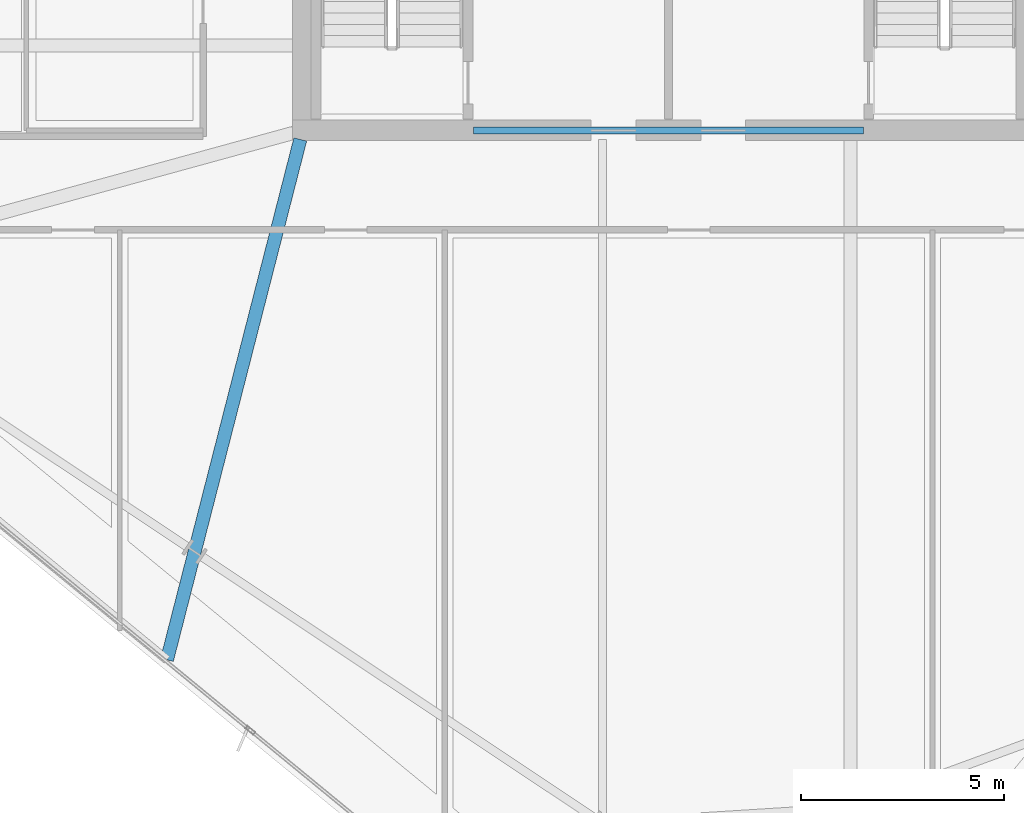
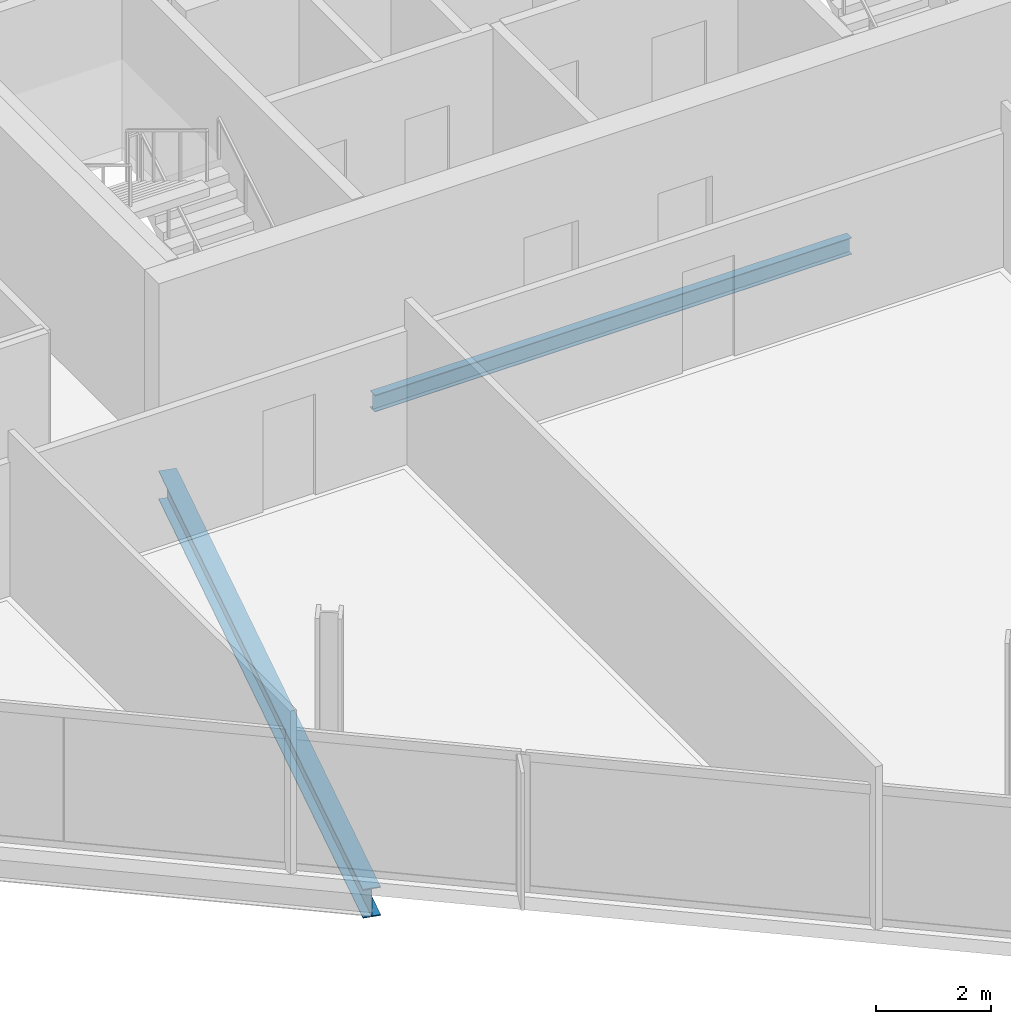
# One storey, part 7 of 28: 2 beams.
"""IFC4 building model written with IfcOpenShell, lengths in metres."""

from ifc_helpers import new_model, si_unit, direction, frame, origin, origin_2d, place, context, subcontext, project, spatial, i_section, extrude, material, material_profile, profile_set, type_object, element, save


model = new_model("IFC4")

# Units and contexts
model_context = context("Model", 3, precision=1e-05, world=origin(), true_north=direction((0.0, 1.0)))
body_context = subcontext(model_context, "Body", "Model", "MODEL_VIEW")
ifc_project = project(units=[si_unit("LENGTHUNIT", "METRE"), si_unit("AREAUNIT", "SQUARE_METRE"), si_unit("VOLUMEUNIT", "CUBIC_METRE"), si_unit("PLANEANGLEUNIT", "RADIAN"), si_unit("MASSUNIT", "GRAM", prefix="KILO")], contexts=[model_context])

# Site, building, storey
site_placement = place(None, origin())
site = spatial("IfcSite", under=ifc_project, at=site_placement, CompositionType="ELEMENT")
building_placement = place(site_placement, origin())
building = spatial("IfcBuilding", under=site, at=building_placement, Name="Haldenkirk Collegiate Tower", CompositionType="ELEMENT")
storey_placement = place(building_placement, frame((0.0, 0.0, 198.449951171875)))
storey = spatial("IfcBuildingStorey", under=building, at=storey_placement, Name="L49", CompositionType="ELEMENT", Elevation=198.449951171875)

# Beams
ifc_material = material(Name="Steel ASTM A992 Grade 50", Category="steel")
ifc_material_profile_1 = material_profile(ifc_material, i_section(OverallWidth=0.324951171875, OverallDepth=0.615966796875, WebThickness=0.013916015625, FlangeThickness=0.021484375, at=origin_2d()), Name="W24X117")
ifc_profile_set_1 = profile_set([ifc_material_profile_1], Name="Steel ASTM A992 Grade 50")
beam_type_1 = type_object("IfcBeamType", Name="BM-GIRDER-W24X117", PredefinedType="BEAM", material=ifc_profile_set_1)
beam_1_placement = place(storey_placement, frame((23.662109375, 4.972412109375, -0.587890625), z_axis=(0.248198486317, 0.968709198568, 0.0), x_axis=(-0.968709198568, 0.248198486317, 0.0)))
element("IfcBeam", 1, at=beam_1_placement, inside=storey, type_object=beam_type_1, Name="L49 primary floor girder 15", PredefinedType="BEAM", context=body_context, shape_type="SweptSolid", body=[
    extrude(i_section(OverallWidth=0.324951171875, OverallDepth=0.615966796875, WebThickness=0.013916015625, FlangeThickness=0.021484375, at=origin_2d()), origin(), (0.0, 0.0, 1.0), 13.21826171875),
])
ifc_material_profile_2 = material_profile(ifc_material, i_section(OverallWidth=0.1708984375, OverallDepth=0.35595703125, WebThickness=0.007080078125, FlangeThickness=0.01171875, at=origin_2d()), Name="W14X34")
ifc_profile_set_2 = profile_set([ifc_material_profile_2], Name="Steel ASTM A992 Grade 50")
beam_type_2 = type_object("IfcBeamType", Name="BM-LINTEL-W14X34", PredefinedType="LINTEL", material=ifc_profile_set_2)
beam_2_placement = place(storey_placement, frame((31.199951171875, 18.0, -0.4580078125), z_axis=(1.0, 0.0, 0.0), x_axis=(0.0, 1.0, 0.0)))
element("IfcBeam", 2, at=beam_2_placement, inside=storey, type_object=beam_type_2, Name="L49 south core coupling lintel", PredefinedType="LINTEL", context=body_context, shape_type="SweptSolid", body=[
    extrude(i_section(OverallWidth=0.1708984375, OverallDepth=0.35595703125, WebThickness=0.007080078125, FlangeThickness=0.01171875, at=origin_2d()), origin(), (0.0, 0.0, 1.0), 9.60009765625),
])

save(model, "model.ifc")
